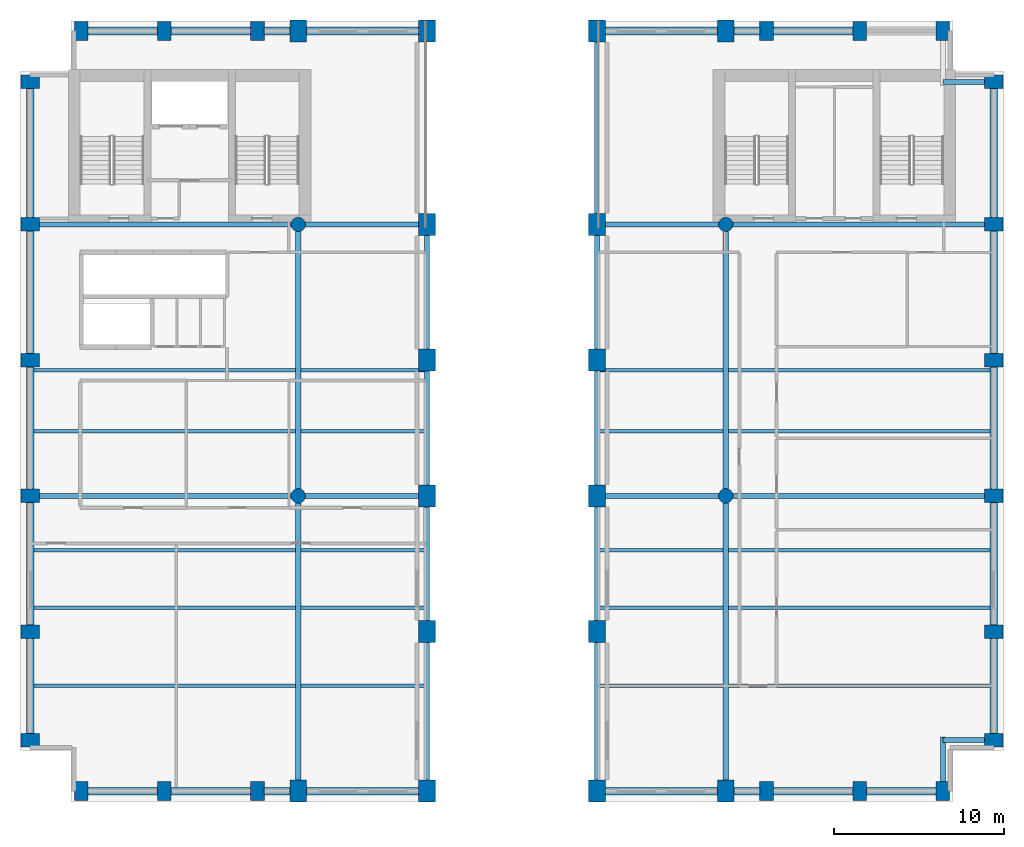
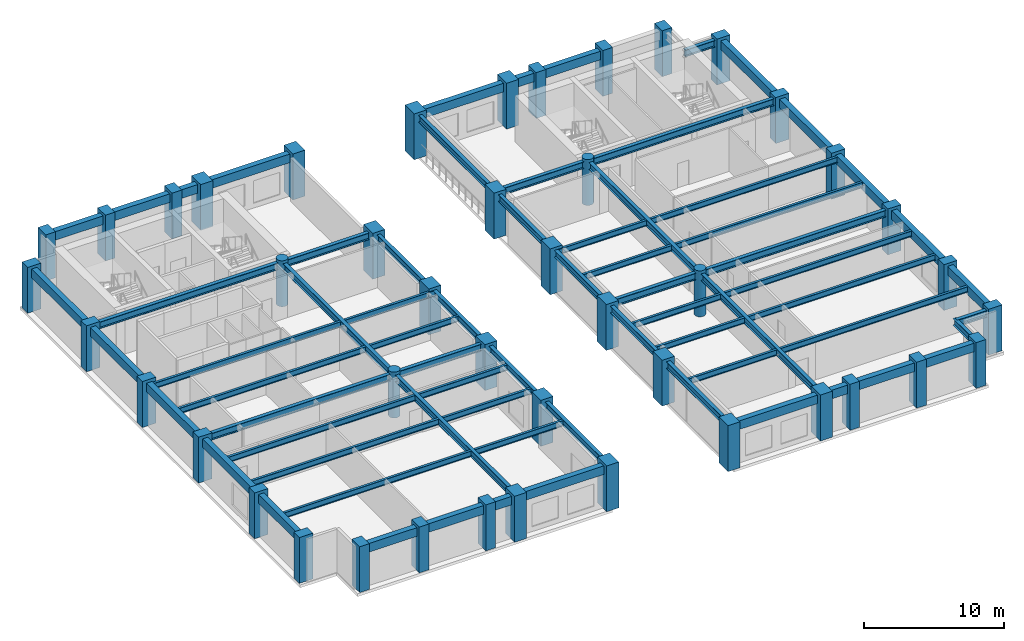
# One storey, part 1 of 8: 65 beams, 44 columns.
"""IFC4 building model written with IfcOpenShell, lengths in metres."""

from ifc_helpers import new_model, si_unit, direction, frame, origin, origin_2d, place, context, subcontext, project, spatial, rectangle, circle, i_section, extrude, material, material_profile, profile_set, type_object, element, save


model = new_model("IFC4")

# Units and contexts
model_context = context("Model", 3, precision=1e-05, world=origin(), true_north=direction((0.0, 1.0)))
body_context = subcontext(model_context, "Body", "Model", "MODEL_VIEW")
ifc_project = project(units=[si_unit("LENGTHUNIT", "METRE"), si_unit("AREAUNIT", "SQUARE_METRE"), si_unit("VOLUMEUNIT", "CUBIC_METRE"), si_unit("PLANEANGLEUNIT", "RADIAN"), si_unit("MASSUNIT", "GRAM", prefix="KILO")], contexts=[model_context])

# Site, building, storey
site_placement = place(None, origin())
site = spatial("IfcSite", under=ifc_project, at=site_placement, CompositionType="ELEMENT")
building_placement = place(site_placement, origin())
building = spatial("IfcBuilding", under=site, at=building_placement, Name="Sulina Concourse Tower", CompositionType="ELEMENT")
storey_placement = place(building_placement, frame((0.0, 0.0, 186.60009765625)))
storey = spatial("IfcBuildingStorey", under=building, at=storey_placement, Name="L45", CompositionType="ELEMENT", Elevation=186.60009765625)

# Columns
ifc_material_1 = material(Name="Precast concrete C60/75", Category="concrete")
ifc_material_profile_1 = material_profile(ifc_material_1, rectangle(XDim=0.800048828125, YDim=1.10009765625, at=origin_2d()), Name="PC 800x1100")
ifc_profile_set_1 = profile_set([ifc_material_profile_1], Name="Precast concrete C60/75")
column_type_1 = type_object("IfcColumnType", Name="Precast Tube Pier Zone 3 800x1100", PredefinedType="COLUMN", material=ifc_profile_set_1)
for number, where, z_axis, x_axis, name in (
    (1, (3.60009765625, 0.60009765625, 0.0), (0.0, 0.0, 1.0), (1.0, 0.0, 0.0), "L45 structural column TP-S-36"),
    (2, (3.60009765625, 45.39990234375, 0.0), (0.0, 0.0, 1.0), (1.0, 0.0, 0.0), "L45 structural column TP-N-36"),
    (3, (8.5, 0.60009765625, 0.0), (0.0, 0.0, 1.0), (1.0, 0.0, 0.0), "L45 structural column TP-S-85"),
    (4, (8.5, 45.39990234375, 0.0), (0.0, 0.0, 1.0), (1.0, 0.0, 0.0), "L45 structural column TP-N-85"),
    (5, (14.0, 0.60009765625, 0.0), (0.0, 0.0, 1.0), (1.0, 0.0, 0.0), "L45 structural column TP-S-140"),
    (6, (14.0, 45.39990234375, 0.0), (0.0, 0.0, 1.0), (1.0, 0.0, 0.0), "L45 structural column TP-N-140"),
    (7, (44.0, 0.60009765625, 0.0), (0.0, 0.0, 1.0), (1.0, 0.0, 0.0), "L45 structural column TP-S-440"),
    (8, (44.0, 45.39990234375, 0.0), (0.0, 0.0, 1.0), (1.0, 0.0, 0.0), "L45 structural column TP-N-440"),
    (9, (49.5, 0.60009765625, 0.0), (0.0, 0.0, 1.0), (1.0, 0.0, 0.0), "L45 structural column TP-S-495"),
    (10, (49.5, 45.39990234375, 0.0), (0.0, 0.0, 1.0), (1.0, 0.0, 0.0), "L45 structural column TP-N-495"),
    (11, (54.39990234375, 0.60009765625, 0.0), (0.0, 0.0, 1.0), (1.0, 0.0, 0.0), "L45 structural column TP-S-544"),
    (12, (54.39990234375, 45.39990234375, 0.0), (0.0, 0.0, 1.0), (1.0, 0.0, 0.0), "L45 structural column TP-N-544"),
    (13, (0.60009765625, 3.60009765625, 0.0), (0.0, 0.0, 1.0), (0.0, 1.0, 0.0), "L45 structural column TP-W-36"),
    (14, (57.39990234375, 3.60009765625, 0.0), (0.0, 0.0, 1.0), (0.0, 1.0, 0.0), "L45 structural column TP-E-36"),
    (15, (0.60009765625, 10.0, 0.0), (0.0, 0.0, 1.0), (0.0, 1.0, 0.0), "L45 structural column TP-W-100"),
    (16, (57.39990234375, 10.0, 0.0), (0.0, 0.0, 1.0), (0.0, 1.0, 0.0), "L45 structural column TP-E-100"),
    (17, (0.60009765625, 18.0, 0.0), (0.0, 0.0, 1.0), (0.0, 1.0, 0.0), "L45 structural column TP-W-180"),
    (18, (57.39990234375, 18.0, 0.0), (0.0, 0.0, 1.0), (0.0, 1.0, 0.0), "L45 structural column TP-E-180"),
    (19, (0.60009765625, 26.0, 0.0), (0.0, 0.0, 1.0), (0.0, 1.0, 0.0), "L45 structural column TP-W-260"),
    (20, (57.39990234375, 26.0, 0.0), (0.0, 0.0, 1.0), (0.0, 1.0, 0.0), "L45 structural column TP-E-260"),
    (21, (0.60009765625, 34.0, 0.0), (0.0, 0.0, 1.0), (0.0, 1.0, 0.0), "L45 structural column TP-W-340"),
    (22, (57.39990234375, 34.0, 0.0), (0.0, 0.0, 1.0), (0.0, 1.0, 0.0), "L45 structural column TP-E-340"),
    (23, (0.60009765625, 42.39990234375, 0.0), (0.0, 0.0, 1.0), (0.0, 1.0, 0.0), "L45 structural column TP-W-424"),
    (24, (57.39990234375, 42.39990234375, 0.0), (0.0, 0.0, 1.0), (0.0, 1.0, 0.0), "L45 structural column TP-E-424"),
):
    element("IfcColumn", number, at=place(storey_placement, frame(where, z_axis=z_axis, x_axis=x_axis)), inside=storey, type_object=column_type_1, Name=name, PredefinedType="COLUMN", context=body_context, shape_type="SweptSolid", body=[
        extrude(rectangle(XDim=0.800048828125, YDim=1.10009765625, at=origin_2d()), origin(), (0.0, 0.0, 1.0), 4.0),
    ])
ifc_material_2 = material(Name="Concrete C50/60", Category="concrete")
ifc_material_profile_2 = material_profile(ifc_material_2, circle(Radius=0.425048828125, at=origin_2d()), Name="RC D850")
ifc_profile_set_2 = profile_set([ifc_material_profile_2], Name="Concrete C50/60")
column_type_2 = type_object("IfcColumnType", Name="Upper Interior Circular Column D850", PredefinedType="COLUMN", material=ifc_profile_set_2)
for number, where, z_axis, x_axis, name in (
    (25, (16.39990234375, 18.0, 0.0), (0.0, 0.0, 1.0), (1.0, 0.0, 0.0), "L45 structural column IC-M-164"),
    (26, (16.39990234375, 34.0, 0.0), (0.0, 0.0, 1.0), (1.0, 0.0, 0.0), "L45 structural column IC-N-164"),
    (27, (41.60009765625, 18.0, 0.0), (0.0, 0.0, 1.0), (1.0, 0.0, 0.0), "L45 structural column IC-M-416"),
    (28, (41.60009765625, 34.0, 0.0), (0.0, 0.0, 1.0), (1.0, 0.0, 0.0), "L45 structural column IC-N-416"),
):
    element("IfcColumn", number, at=place(storey_placement, frame(where, z_axis=z_axis, x_axis=x_axis)), inside=storey, type_object=column_type_2, Name=name, PredefinedType="COLUMN", context=body_context, shape_type="SweptSolid", body=[
        extrude(circle(Radius=0.425048828125, at=origin_2d()), origin(), (0.0, 0.0, 1.0), 4.0),
    ])
ifc_material_3 = material(Name="Concrete C60/75", Category="concrete")
ifc_material_profile_3 = material_profile(ifc_material_3, rectangle(XDim=1.0, YDim=1.300048828125, at=origin_2d()), Name="RC 1000x1300")
ifc_profile_set_3 = profile_set([ifc_material_profile_3], Name="Concrete C60/75")
column_type_3 = type_object("IfcColumnType", Name="Upper Portal Column 1000x1300", PredefinedType="COLUMN", material=ifc_profile_set_3)
for number, where, z_axis, x_axis, name in (
    (29, (16.39990234375, 0.60009765625, 0.0), (0.0, 0.0, 1.0), (1.0, 0.0, 0.0), "L45 structural column TP-S-164"),
    (30, (16.39990234375, 45.39990234375, 0.0), (0.0, 0.0, 1.0), (1.0, 0.0, 0.0), "L45 structural column TP-N-164"),
    (31, (24.0, 0.60009765625, 0.0), (0.0, 0.0, 1.0), (1.0, 0.0, 0.0), "L45 structural column TP-S-240"),
    (32, (24.0, 45.39990234375, 0.0), (0.0, 0.0, 1.0), (1.0, 0.0, 0.0), "L45 structural column TP-N-240"),
    (33, (34.0, 0.60009765625, 0.0), (0.0, 0.0, 1.0), (1.0, 0.0, 0.0), "L45 structural column TP-S-340"),
    (34, (34.0, 45.39990234375, 0.0), (0.0, 0.0, 1.0), (1.0, 0.0, 0.0), "L45 structural column TP-N-340"),
    (35, (41.60009765625, 0.60009765625, 0.0), (0.0, 0.0, 1.0), (1.0, 0.0, 0.0), "L45 structural column TP-S-416"),
    (36, (41.60009765625, 45.39990234375, 0.0), (0.0, 0.0, 1.0), (1.0, 0.0, 0.0), "L45 structural column TP-N-416"),
    (37, (24.0, 10.0, 0.0), (0.0, 0.0, 1.0), (1.0, 0.0, 0.0), "L45 structural column UP-FW-10"),
    (38, (34.0, 10.0, 0.0), (0.0, 0.0, 1.0), (1.0, 0.0, 0.0), "L45 structural column UP-FE-10"),
    (39, (24.0, 18.0, 0.0), (0.0, 0.0, 1.0), (1.0, 0.0, 0.0), "L45 structural column UP-FW-18"),
    (40, (34.0, 18.0, 0.0), (0.0, 0.0, 1.0), (1.0, 0.0, 0.0), "L45 structural column UP-FE-18"),
    (41, (24.0, 26.0, 0.0), (0.0, 0.0, 1.0), (1.0, 0.0, 0.0), "L45 structural column UP-FW-26"),
    (42, (34.0, 26.0, 0.0), (0.0, 0.0, 1.0), (1.0, 0.0, 0.0), "L45 structural column UP-FE-26"),
    (43, (24.0, 34.0, 0.0), (0.0, 0.0, 1.0), (1.0, 0.0, 0.0), "L45 structural column UP-FW-34"),
    (44, (34.0, 34.0, 0.0), (0.0, 0.0, 1.0), (1.0, 0.0, 0.0), "L45 structural column UP-FE-34"),
):
    element("IfcColumn", number, at=place(storey_placement, frame(where, z_axis=z_axis, x_axis=x_axis)), inside=storey, type_object=column_type_3, Name=name, PredefinedType="COLUMN", context=body_context, shape_type="SweptSolid", body=[
        extrude(rectangle(XDim=1.0, YDim=1.300048828125, at=origin_2d()), origin(), (0.0, 0.0, 1.0), 4.0),
    ])

# Beams
ifc_material_4 = material(Name="Steel S355", Category="steel")
ifc_material_profile_4 = material_profile(ifc_material_4, i_section(OverallWidth=0.199951171875, OverallDepth=0.5, WebThickness=0.01025390625, FlangeThickness=0.01611328125, at=origin_2d()), Name="IPE 500")
ifc_profile_set_4 = profile_set([ifc_material_profile_4], Name="Steel S355")
beam_type_1 = type_object("IfcBeamType", Name="Composite Floor Joist IPE500", PredefinedType="JOIST", material=ifc_profile_set_4)
beam_1_placement = place(storey_placement, frame((0.824951171875, 6.800048828125, 3.5), z_axis=(1.0, 0.0, 0.0), x_axis=(0.0, 1.0, 0.0)))
element("IfcBeam", 45, at=beam_1_placement, inside=storey, type_object=beam_type_1, Name="FJ-J06-1-L45", PredefinedType="JOIST", context=body_context, shape_type="SweptSolid", body=[
    extrude(i_section(OverallWidth=0.199951171875, OverallDepth=0.5, WebThickness=0.01025390625, FlangeThickness=0.01611328125, at=origin_2d()), origin(), (0.0, 0.0, 1.0), 15.425048828125),
])
for number, where, z_axis, x_axis, name in (
    (46, (16.550048828125, 6.800048828125, 3.5), (1.0, 0.0, 0.0), (0.0, 1.0, 0.0), "FJ-J06-2-L45"),
    (47, (34.14990234375, 6.800048828125, 3.5), (1.0, 0.0, 0.0), (0.0, 1.0, 0.0), "FJ-J06-4-L45"),
):
    element("IfcBeam", number, at=place(storey_placement, frame(where, z_axis=z_axis, x_axis=x_axis)), inside=storey, type_object=beam_type_1, Name=name, PredefinedType="JOIST", context=body_context, shape_type="SweptSolid", body=[
        extrude(i_section(OverallWidth=0.199951171875, OverallDepth=0.5, WebThickness=0.01025390625, FlangeThickness=0.01611328125, at=origin_2d()), origin(), (0.0, 0.0, 1.0), 7.300048828125),
    ])
for number, where, z_axis, x_axis, name in (
    (48, (41.75, 6.800048828125, 3.5), (1.0, 0.0, 0.0), (0.0, 1.0, 0.0), "FJ-J06-5-L45"),
    (49, (0.824951171875, 11.39990234375, 3.5), (1.0, 0.0, 0.0), (0.0, 1.0, 0.0), "FJ-J11-1-L45"),
):
    element("IfcBeam", number, at=place(storey_placement, frame(where, z_axis=z_axis, x_axis=x_axis)), inside=storey, type_object=beam_type_1, Name=name, PredefinedType="JOIST", context=body_context, shape_type="SweptSolid", body=[
        extrude(i_section(OverallWidth=0.199951171875, OverallDepth=0.5, WebThickness=0.01025390625, FlangeThickness=0.01611328125, at=origin_2d()), origin(), (0.0, 0.0, 1.0), 15.425048828125),
    ])
for number, where, z_axis, x_axis, name in (
    (50, (16.550048828125, 11.39990234375, 3.5), (1.0, 0.0, 0.0), (0.0, 1.0, 0.0), "FJ-J11-2-L45"),
    (51, (34.14990234375, 11.39990234375, 3.5), (1.0, 0.0, 0.0), (0.0, 1.0, 0.0), "FJ-J11-4-L45"),
):
    element("IfcBeam", number, at=place(storey_placement, frame(where, z_axis=z_axis, x_axis=x_axis)), inside=storey, type_object=beam_type_1, Name=name, PredefinedType="JOIST", context=body_context, shape_type="SweptSolid", body=[
        extrude(i_section(OverallWidth=0.199951171875, OverallDepth=0.5, WebThickness=0.01025390625, FlangeThickness=0.01611328125, at=origin_2d()), origin(), (0.0, 0.0, 1.0), 7.300048828125),
    ])
for number, where, z_axis, x_axis, name in (
    (52, (41.75, 11.39990234375, 3.5), (1.0, 0.0, 0.0), (0.0, 1.0, 0.0), "FJ-J11-5-L45"),
    (53, (0.824951171875, 14.800048828125, 3.5), (1.0, 0.0, 0.0), (0.0, 1.0, 0.0), "FJ-J15-1-L45"),
):
    element("IfcBeam", number, at=place(storey_placement, frame(where, z_axis=z_axis, x_axis=x_axis)), inside=storey, type_object=beam_type_1, Name=name, PredefinedType="JOIST", context=body_context, shape_type="SweptSolid", body=[
        extrude(i_section(OverallWidth=0.199951171875, OverallDepth=0.5, WebThickness=0.01025390625, FlangeThickness=0.01611328125, at=origin_2d()), origin(), (0.0, 0.0, 1.0), 15.425048828125),
    ])
for number, where, z_axis, x_axis, name in (
    (54, (16.550048828125, 14.800048828125, 3.5), (1.0, 0.0, 0.0), (0.0, 1.0, 0.0), "FJ-J15-2-L45"),
    (55, (34.14990234375, 14.800048828125, 3.5), (1.0, 0.0, 0.0), (0.0, 1.0, 0.0), "FJ-J15-4-L45"),
):
    element("IfcBeam", number, at=place(storey_placement, frame(where, z_axis=z_axis, x_axis=x_axis)), inside=storey, type_object=beam_type_1, Name=name, PredefinedType="JOIST", context=body_context, shape_type="SweptSolid", body=[
        extrude(i_section(OverallWidth=0.199951171875, OverallDepth=0.5, WebThickness=0.01025390625, FlangeThickness=0.01611328125, at=origin_2d()), origin(), (0.0, 0.0, 1.0), 7.300048828125),
    ])
for number, where, z_axis, x_axis, name in (
    (56, (41.75, 14.800048828125, 3.5), (1.0, 0.0, 0.0), (0.0, 1.0, 0.0), "FJ-J15-5-L45"),
    (57, (0.824951171875, 21.800048828125, 3.5), (1.0, 0.0, 0.0), (0.0, 1.0, 0.0), "FJ-J22-1-L45"),
):
    element("IfcBeam", number, at=place(storey_placement, frame(where, z_axis=z_axis, x_axis=x_axis)), inside=storey, type_object=beam_type_1, Name=name, PredefinedType="JOIST", context=body_context, shape_type="SweptSolid", body=[
        extrude(i_section(OverallWidth=0.199951171875, OverallDepth=0.5, WebThickness=0.01025390625, FlangeThickness=0.01611328125, at=origin_2d()), origin(), (0.0, 0.0, 1.0), 15.425048828125),
    ])
for number, where, z_axis, x_axis, name in (
    (58, (16.550048828125, 21.800048828125, 3.5), (1.0, 0.0, 0.0), (0.0, 1.0, 0.0), "FJ-J22-2-L45"),
    (59, (34.14990234375, 21.800048828125, 3.5), (1.0, 0.0, 0.0), (0.0, 1.0, 0.0), "FJ-J22-4-L45"),
):
    element("IfcBeam", number, at=place(storey_placement, frame(where, z_axis=z_axis, x_axis=x_axis)), inside=storey, type_object=beam_type_1, Name=name, PredefinedType="JOIST", context=body_context, shape_type="SweptSolid", body=[
        extrude(i_section(OverallWidth=0.199951171875, OverallDepth=0.5, WebThickness=0.01025390625, FlangeThickness=0.01611328125, at=origin_2d()), origin(), (0.0, 0.0, 1.0), 7.300048828125),
    ])
for number, where, z_axis, x_axis, name in (
    (60, (41.75, 21.800048828125, 3.5), (1.0, 0.0, 0.0), (0.0, 1.0, 0.0), "FJ-J22-5-L45"),
    (61, (0.824951171875, 25.39990234375, 3.5), (1.0, 0.0, 0.0), (0.0, 1.0, 0.0), "FJ-J25-1-L45"),
):
    element("IfcBeam", number, at=place(storey_placement, frame(where, z_axis=z_axis, x_axis=x_axis)), inside=storey, type_object=beam_type_1, Name=name, PredefinedType="JOIST", context=body_context, shape_type="SweptSolid", body=[
        extrude(i_section(OverallWidth=0.199951171875, OverallDepth=0.5, WebThickness=0.01025390625, FlangeThickness=0.01611328125, at=origin_2d()), origin(), (0.0, 0.0, 1.0), 15.425048828125),
    ])
for number, where, z_axis, x_axis, name in (
    (62, (16.550048828125, 25.39990234375, 3.5), (1.0, 0.0, 0.0), (0.0, 1.0, 0.0), "FJ-J25-2-L45"),
    (63, (34.14990234375, 25.39990234375, 3.5), (1.0, 0.0, 0.0), (0.0, 1.0, 0.0), "FJ-J25-4-L45"),
):
    element("IfcBeam", number, at=place(storey_placement, frame(where, z_axis=z_axis, x_axis=x_axis)), inside=storey, type_object=beam_type_1, Name=name, PredefinedType="JOIST", context=body_context, shape_type="SweptSolid", body=[
        extrude(i_section(OverallWidth=0.199951171875, OverallDepth=0.5, WebThickness=0.01025390625, FlangeThickness=0.01611328125, at=origin_2d()), origin(), (0.0, 0.0, 1.0), 7.300048828125),
    ])
beam_2_placement = place(storey_placement, frame((41.75, 25.39990234375, 3.5), z_axis=(1.0, 0.0, 0.0), x_axis=(0.0, 1.0, 0.0)))
element("IfcBeam", 64, at=beam_2_placement, inside=storey, type_object=beam_type_1, Name="FJ-J25-5-L45", PredefinedType="JOIST", context=body_context, shape_type="SweptSolid", body=[
    extrude(i_section(OverallWidth=0.199951171875, OverallDepth=0.5, WebThickness=0.01025390625, FlangeThickness=0.01611328125, at=origin_2d()), origin(), (0.0, 0.0, 1.0), 15.425048828125),
])
ifc_material_5 = material(Name="Steel S355", Category="steel")
ifc_material_profile_5 = material_profile(ifc_material_5, i_section(OverallWidth=0.300048828125, OverallDepth=0.60009765625, WebThickness=0.015380859375, FlangeThickness=0.030029296875, at=origin_2d()), Name="HE 600 B")
ifc_profile_set_5 = profile_set([ifc_material_profile_5], Name="Steel S355")
beam_type_2 = type_object("IfcBeamType", Name="Floor Primary Girder Zone 3 HE600B", PredefinedType="BEAM", material=ifc_profile_set_5)
for number, where, z_axis, x_axis, name in (
    (65, (54.39990234375, 3.60009765625, 3.449951171875), (1.0, 0.0, 0.0), (0.0, 1.0, 0.0), "TIE-SE-L45"),
    (66, (54.39990234375, 42.39990234375, 3.449951171875), (1.0, 0.0, 0.0), (0.0, 1.0, 0.0), "TIE-NE-L45"),
):
    element("IfcBeam", number, at=place(storey_placement, frame(where, z_axis=z_axis, x_axis=x_axis)), inside=storey, type_object=beam_type_2, Name=name, PredefinedType="BEAM", context=body_context, shape_type="SweptSolid", body=[
        extrude(i_section(OverallWidth=0.300048828125, OverallDepth=0.60009765625, WebThickness=0.015380859375, FlangeThickness=0.030029296875, at=origin_2d()), origin(), (0.0, 0.0, 1.0), 2.6201171875),
    ])
beam_3_placement = place(storey_placement, frame((54.39990234375, 0.97998046875, 3.449951171875), z_axis=(0.0, 1.0, 0.0), x_axis=(-1.0, 0.0, 0.0)))
element("IfcBeam", 67, at=beam_3_placement, inside=storey, type_object=beam_type_2, Name="TIE-SES-L45", PredefinedType="BEAM", context=body_context, shape_type="SweptSolid", body=[
    extrude(i_section(OverallWidth=0.300048828125, OverallDepth=0.60009765625, WebThickness=0.015380859375, FlangeThickness=0.030029296875, at=origin_2d()), origin(), (0.0, 0.0, 1.0), 2.820068359375),
])
beam_4_placement = place(storey_placement, frame((0.97998046875, 18.0, 3.449951171875), z_axis=(1.0, 0.0, 0.0), x_axis=(0.0, 1.0, 0.0)))
element("IfcBeam", 68, at=beam_4_placement, inside=storey, type_object=beam_type_2, Name="FG-EW1-L45", PredefinedType="BEAM", context=body_context, shape_type="SweptSolid", body=[
    extrude(i_section(OverallWidth=0.300048828125, OverallDepth=0.60009765625, WebThickness=0.015380859375, FlangeThickness=0.030029296875, at=origin_2d()), origin(), (0.0, 0.0, 1.0), 15.01513671875),
])
for number, where, z_axis, x_axis, name in (
    (69, (16.804931640625, 18.0, 3.449951171875), (1.0, 0.0, 0.0), (0.0, 1.0, 0.0), "FG-EW2-L45"),
    (70, (34.47998046875, 18.0, 3.449951171875), (1.0, 0.0, 0.0), (0.0, 1.0, 0.0), "FG-EW4-L45"),
):
    element("IfcBeam", number, at=place(storey_placement, frame(where, z_axis=z_axis, x_axis=x_axis)), inside=storey, type_object=beam_type_2, Name=name, PredefinedType="BEAM", context=body_context, shape_type="SweptSolid", body=[
        extrude(i_section(OverallWidth=0.300048828125, OverallDepth=0.60009765625, WebThickness=0.015380859375, FlangeThickness=0.030029296875, at=origin_2d()), origin(), (0.0, 0.0, 1.0), 6.715087890625),
    ])
for number, where, z_axis, x_axis, name in (
    (71, (42.0048828125, 18.0, 3.449951171875), (1.0, 0.0, 0.0), (0.0, 1.0, 0.0), "FG-EW5-L45"),
    (72, (0.97998046875, 34.0, 3.449951171875), (1.0, 0.0, 0.0), (0.0, 1.0, 0.0), "FG-EWN1-L45"),
):
    element("IfcBeam", number, at=place(storey_placement, frame(where, z_axis=z_axis, x_axis=x_axis)), inside=storey, type_object=beam_type_2, Name=name, PredefinedType="BEAM", context=body_context, shape_type="SweptSolid", body=[
        extrude(i_section(OverallWidth=0.300048828125, OverallDepth=0.60009765625, WebThickness=0.015380859375, FlangeThickness=0.030029296875, at=origin_2d()), origin(), (0.0, 0.0, 1.0), 15.01513671875),
    ])
for number, where, z_axis, x_axis, name in (
    (73, (16.804931640625, 34.0, 3.449951171875), (1.0, 0.0, 0.0), (0.0, 1.0, 0.0), "FG-EWN2-L45"),
    (74, (34.47998046875, 34.0, 3.449951171875), (1.0, 0.0, 0.0), (0.0, 1.0, 0.0), "FG-EWN4-L45"),
):
    element("IfcBeam", number, at=place(storey_placement, frame(where, z_axis=z_axis, x_axis=x_axis)), inside=storey, type_object=beam_type_2, Name=name, PredefinedType="BEAM", context=body_context, shape_type="SweptSolid", body=[
        extrude(i_section(OverallWidth=0.300048828125, OverallDepth=0.60009765625, WebThickness=0.015380859375, FlangeThickness=0.030029296875, at=origin_2d()), origin(), (0.0, 0.0, 1.0), 6.715087890625),
    ])
beam_5_placement = place(storey_placement, frame((42.0048828125, 34.0, 3.449951171875), z_axis=(1.0, 0.0, 0.0), x_axis=(0.0, 1.0, 0.0)))
element("IfcBeam", 75, at=beam_5_placement, inside=storey, type_object=beam_type_2, Name="FG-EWN5-L45", PredefinedType="BEAM", context=body_context, shape_type="SweptSolid", body=[
    extrude(i_section(OverallWidth=0.300048828125, OverallDepth=0.60009765625, WebThickness=0.015380859375, FlangeThickness=0.030029296875, at=origin_2d()), origin(), (0.0, 0.0, 1.0), 15.01513671875),
])
beam_6_placement = place(storey_placement, frame((16.39990234375, 1.080078125, 3.449951171875), z_axis=(0.0, 1.0, 0.0), x_axis=(-1.0, 0.0, 0.0)))
element("IfcBeam", 76, at=beam_6_placement, inside=storey, type_object=beam_type_2, Name="FG-NSA-16-L45", PredefinedType="BEAM", context=body_context, shape_type="SweptSolid", body=[
    extrude(i_section(OverallWidth=0.300048828125, OverallDepth=0.60009765625, WebThickness=0.015380859375, FlangeThickness=0.030029296875, at=origin_2d()), origin(), (0.0, 0.0, 1.0), 16.514892578125),
])
beam_7_placement = place(storey_placement, frame((16.39990234375, 18.405029296875, 3.449951171875), z_axis=(0.0, 1.0, 0.0), x_axis=(-1.0, 0.0, 0.0)))
element("IfcBeam", 77, at=beam_7_placement, inside=storey, type_object=beam_type_2, Name="FG-NSB-16-L45", PredefinedType="BEAM", context=body_context, shape_type="SweptSolid", body=[
    extrude(i_section(OverallWidth=0.300048828125, OverallDepth=0.60009765625, WebThickness=0.015380859375, FlangeThickness=0.030029296875, at=origin_2d()), origin(), (0.0, 0.0, 1.0), 15.18994140625),
])
beam_8_placement = place(storey_placement, frame((24.0, 1.080078125, 3.449951171875), z_axis=(0.0, 1.0, 0.0), x_axis=(-1.0, 0.0, 0.0)))
element("IfcBeam", 78, at=beam_8_placement, inside=storey, type_object=beam_type_2, Name="FG-NSA-24-L45", PredefinedType="BEAM", context=body_context, shape_type="SweptSolid", body=[
    extrude(i_section(OverallWidth=0.300048828125, OverallDepth=0.60009765625, WebThickness=0.015380859375, FlangeThickness=0.030029296875, at=origin_2d()), origin(), (0.0, 0.0, 1.0), 16.43994140625),
])
beam_9_placement = place(storey_placement, frame((24.0, 18.47998046875, 3.449951171875), z_axis=(0.0, 1.0, 0.0), x_axis=(-1.0, 0.0, 0.0)))
element("IfcBeam", 79, at=beam_9_placement, inside=storey, type_object=beam_type_2, Name="FG-NSB-24-L45", PredefinedType="BEAM", context=body_context, shape_type="SweptSolid", body=[
    extrude(i_section(OverallWidth=0.300048828125, OverallDepth=0.60009765625, WebThickness=0.015380859375, FlangeThickness=0.030029296875, at=origin_2d()), origin(), (0.0, 0.0, 1.0), 15.0400390625),
])
beam_10_placement = place(storey_placement, frame((34.0, 1.080078125, 3.449951171875), z_axis=(0.0, 1.0, 0.0), x_axis=(-1.0, 0.0, 0.0)))
element("IfcBeam", 80, at=beam_10_placement, inside=storey, type_object=beam_type_2, Name="FG-NSA-34-L45", PredefinedType="BEAM", context=body_context, shape_type="SweptSolid", body=[
    extrude(i_section(OverallWidth=0.300048828125, OverallDepth=0.60009765625, WebThickness=0.015380859375, FlangeThickness=0.030029296875, at=origin_2d()), origin(), (0.0, 0.0, 1.0), 16.43994140625),
])
beam_11_placement = place(storey_placement, frame((34.0, 18.47998046875, 3.449951171875), z_axis=(0.0, 1.0, 0.0), x_axis=(-1.0, 0.0, 0.0)))
element("IfcBeam", 81, at=beam_11_placement, inside=storey, type_object=beam_type_2, Name="FG-NSB-34-L45", PredefinedType="BEAM", context=body_context, shape_type="SweptSolid", body=[
    extrude(i_section(OverallWidth=0.300048828125, OverallDepth=0.60009765625, WebThickness=0.015380859375, FlangeThickness=0.030029296875, at=origin_2d()), origin(), (0.0, 0.0, 1.0), 15.0400390625),
])
beam_12_placement = place(storey_placement, frame((34.0, 34.47998046875, 3.449951171875), z_axis=(0.0, 1.0, 0.0), x_axis=(-1.0, 0.0, 0.0)))
element("IfcBeam", 82, at=beam_12_placement, inside=storey, type_object=beam_type_2, Name="FG-NSC-34-L45", PredefinedType="BEAM", context=body_context, shape_type="SweptSolid", body=[
    extrude(i_section(OverallWidth=0.300048828125, OverallDepth=0.60009765625, WebThickness=0.015380859375, FlangeThickness=0.030029296875, at=origin_2d()), origin(), (0.0, 0.0, 1.0), 10.43994140625),
])
beam_13_placement = place(storey_placement, frame((41.60009765625, 1.080078125, 3.449951171875), z_axis=(0.0, 1.0, 0.0), x_axis=(-1.0, 0.0, 0.0)))
element("IfcBeam", 83, at=beam_13_placement, inside=storey, type_object=beam_type_2, Name="FG-NSA-41-L45", PredefinedType="BEAM", context=body_context, shape_type="SweptSolid", body=[
    extrude(i_section(OverallWidth=0.300048828125, OverallDepth=0.60009765625, WebThickness=0.015380859375, FlangeThickness=0.030029296875, at=origin_2d()), origin(), (0.0, 0.0, 1.0), 16.514892578125),
])
beam_14_placement = place(storey_placement, frame((41.60009765625, 18.405029296875, 3.449951171875), z_axis=(0.0, 1.0, 0.0), x_axis=(-1.0, 0.0, 0.0)))
element("IfcBeam", 84, at=beam_14_placement, inside=storey, type_object=beam_type_2, Name="FG-NSB-41-L45", PredefinedType="BEAM", context=body_context, shape_type="SweptSolid", body=[
    extrude(i_section(OverallWidth=0.300048828125, OverallDepth=0.60009765625, WebThickness=0.015380859375, FlangeThickness=0.030029296875, at=origin_2d()), origin(), (0.0, 0.0, 1.0), 15.18994140625),
])
ifc_material_6 = material(Name="Precast concrete C50/60", Category="concrete")
ifc_material_profile_6 = material_profile(ifc_material_6, rectangle(XDim=0.449951171875, YDim=0.75, at=origin_2d()), Name="RC 450x750")
ifc_profile_set_6 = profile_set([ifc_material_profile_6], Name="Precast concrete C50/60")
beam_type_3 = type_object("IfcBeamType", Name="Upper Precast Spandrel Edge Beam 450x750", PredefinedType="BEAM", material=ifc_profile_set_6)
beam_15_placement = place(storey_placement, frame((3.97998046875, 0.60009765625, 3.375), z_axis=(1.0, 0.0, 0.0), x_axis=(0.0, 1.0, 0.0)))
element("IfcBeam", 85, at=beam_15_placement, inside=storey, type_object=beam_type_3, Name="SP-S1-L45", PredefinedType="BEAM", context=body_context, shape_type="SweptSolid", body=[
    extrude(rectangle(XDim=0.449951171875, YDim=0.75, at=origin_2d()), origin(), (0.0, 0.0, 1.0), 4.14013671875),
])
beam_16_placement = place(storey_placement, frame((8.8798828125, 0.60009765625, 3.375), z_axis=(1.0, 0.0, 0.0), x_axis=(0.0, 1.0, 0.0)))
element("IfcBeam", 86, at=beam_16_placement, inside=storey, type_object=beam_type_3, Name="SP-S2-L45", PredefinedType="BEAM", context=body_context, shape_type="SweptSolid", body=[
    extrude(rectangle(XDim=0.449951171875, YDim=0.75, at=origin_2d()), origin(), (0.0, 0.0, 1.0), 4.740234375),
])
beam_17_placement = place(storey_placement, frame((14.3798828125, 0.60009765625, 3.375), z_axis=(1.0, 0.0, 0.0), x_axis=(0.0, 1.0, 0.0)))
element("IfcBeam", 87, at=beam_17_placement, inside=storey, type_object=beam_type_3, Name="SP-S3-L45", PredefinedType="BEAM", context=body_context, shape_type="SweptSolid", body=[
    extrude(rectangle(XDim=0.449951171875, YDim=0.75, at=origin_2d()), origin(), (0.0, 0.0, 1.0), 1.5400390625),
])
for number, where, z_axis, x_axis, name in (
    (88, (16.8798828125, 0.60009765625, 3.375), (1.0, 0.0, 0.0), (0.0, 1.0, 0.0), "SP-S4-L45"),
    (89, (34.47998046875, 0.60009765625, 3.375), (1.0, 0.0, 0.0), (0.0, 1.0, 0.0), "SP-S6-L45"),
):
    element("IfcBeam", number, at=place(storey_placement, frame(where, z_axis=z_axis, x_axis=x_axis)), inside=storey, type_object=beam_type_3, Name=name, PredefinedType="BEAM", context=body_context, shape_type="SweptSolid", body=[
        extrude(rectangle(XDim=0.449951171875, YDim=0.75, at=origin_2d()), origin(), (0.0, 0.0, 1.0), 6.64013671875),
    ])
beam_18_placement = place(storey_placement, frame((42.080078125, 0.60009765625, 3.375), z_axis=(1.0, 0.0, 0.0), x_axis=(0.0, 1.0, 0.0)))
element("IfcBeam", 90, at=beam_18_placement, inside=storey, type_object=beam_type_3, Name="SP-S7-L45", PredefinedType="BEAM", context=body_context, shape_type="SweptSolid", body=[
    extrude(rectangle(XDim=0.449951171875, YDim=0.75, at=origin_2d()), origin(), (0.0, 0.0, 1.0), 1.5400390625),
])
beam_19_placement = place(storey_placement, frame((44.3798828125, 0.60009765625, 3.375), z_axis=(1.0, 0.0, 0.0), x_axis=(0.0, 1.0, 0.0)))
element("IfcBeam", 91, at=beam_19_placement, inside=storey, type_object=beam_type_3, Name="SP-S8-L45", PredefinedType="BEAM", context=body_context, shape_type="SweptSolid", body=[
    extrude(rectangle(XDim=0.449951171875, YDim=0.75, at=origin_2d()), origin(), (0.0, 0.0, 1.0), 4.740234375),
])
for number, where, z_axis, x_axis, name in (
    (92, (49.8798828125, 0.60009765625, 3.375), (1.0, 0.0, 0.0), (0.0, 1.0, 0.0), "SP-S9-L45"),
    (93, (3.97998046875, 45.39990234375, 3.375), (1.0, 0.0, 0.0), (0.0, 1.0, 0.0), "SP-N1-L45"),
):
    element("IfcBeam", number, at=place(storey_placement, frame(where, z_axis=z_axis, x_axis=x_axis)), inside=storey, type_object=beam_type_3, Name=name, PredefinedType="BEAM", context=body_context, shape_type="SweptSolid", body=[
        extrude(rectangle(XDim=0.449951171875, YDim=0.75, at=origin_2d()), origin(), (0.0, 0.0, 1.0), 4.14013671875),
    ])
beam_20_placement = place(storey_placement, frame((8.8798828125, 45.39990234375, 3.375), z_axis=(1.0, 0.0, 0.0), x_axis=(0.0, 1.0, 0.0)))
element("IfcBeam", 94, at=beam_20_placement, inside=storey, type_object=beam_type_3, Name="SP-N2-L45", PredefinedType="BEAM", context=body_context, shape_type="SweptSolid", body=[
    extrude(rectangle(XDim=0.449951171875, YDim=0.75, at=origin_2d()), origin(), (0.0, 0.0, 1.0), 4.740234375),
])
beam_21_placement = place(storey_placement, frame((14.3798828125, 45.39990234375, 3.375), z_axis=(1.0, 0.0, 0.0), x_axis=(0.0, 1.0, 0.0)))
element("IfcBeam", 95, at=beam_21_placement, inside=storey, type_object=beam_type_3, Name="SP-N3-L45", PredefinedType="BEAM", context=body_context, shape_type="SweptSolid", body=[
    extrude(rectangle(XDim=0.449951171875, YDim=0.75, at=origin_2d()), origin(), (0.0, 0.0, 1.0), 1.5400390625),
])
for number, where, z_axis, x_axis, name in (
    (96, (16.8798828125, 45.39990234375, 3.375), (1.0, 0.0, 0.0), (0.0, 1.0, 0.0), "SP-N4-L45"),
    (97, (34.47998046875, 45.39990234375, 3.375), (1.0, 0.0, 0.0), (0.0, 1.0, 0.0), "SP-N6-L45"),
):
    element("IfcBeam", number, at=place(storey_placement, frame(where, z_axis=z_axis, x_axis=x_axis)), inside=storey, type_object=beam_type_3, Name=name, PredefinedType="BEAM", context=body_context, shape_type="SweptSolid", body=[
        extrude(rectangle(XDim=0.449951171875, YDim=0.75, at=origin_2d()), origin(), (0.0, 0.0, 1.0), 6.64013671875),
    ])
beam_22_placement = place(storey_placement, frame((42.080078125, 45.39990234375, 3.375), z_axis=(1.0, 0.0, 0.0), x_axis=(0.0, 1.0, 0.0)))
element("IfcBeam", 98, at=beam_22_placement, inside=storey, type_object=beam_type_3, Name="SP-N7-L45", PredefinedType="BEAM", context=body_context, shape_type="SweptSolid", body=[
    extrude(rectangle(XDim=0.449951171875, YDim=0.75, at=origin_2d()), origin(), (0.0, 0.0, 1.0), 1.5400390625),
])
beam_23_placement = place(storey_placement, frame((44.3798828125, 45.39990234375, 3.375), z_axis=(1.0, 0.0, 0.0), x_axis=(0.0, 1.0, 0.0)))
element("IfcBeam", 99, at=beam_23_placement, inside=storey, type_object=beam_type_3, Name="SP-N8-L45", PredefinedType="BEAM", context=body_context, shape_type="SweptSolid", body=[
    extrude(rectangle(XDim=0.449951171875, YDim=0.75, at=origin_2d()), origin(), (0.0, 0.0, 1.0), 4.740234375),
])
beam_24_placement = place(storey_placement, frame((0.60009765625, 3.97998046875, 3.375), z_axis=(0.0, 1.0, 0.0), x_axis=(-1.0, 0.0, 0.0)))
element("IfcBeam", 100, at=beam_24_placement, inside=storey, type_object=beam_type_3, Name="SP-W1-L45", PredefinedType="BEAM", context=body_context, shape_type="SweptSolid", body=[
    extrude(rectangle(XDim=0.449951171875, YDim=0.75, at=origin_2d()), origin(), (0.0, 0.0, 1.0), 5.64013671875),
])
for number, where, z_axis, x_axis, name in (
    (101, (0.60009765625, 10.3798828125, 3.375), (0.0, 1.0, 0.0), (-1.0, 0.0, 0.0), "SP-W2-L45"),
    (102, (0.60009765625, 18.3798828125, 3.375), (0.0, 1.0, 0.0), (-1.0, 0.0, 0.0), "SP-W3-L45"),
    (103, (0.60009765625, 26.3798828125, 3.375), (0.0, 1.0, 0.0), (-1.0, 0.0, 0.0), "SP-W4-L45"),
):
    element("IfcBeam", number, at=place(storey_placement, frame(where, z_axis=z_axis, x_axis=x_axis)), inside=storey, type_object=beam_type_3, Name=name, PredefinedType="BEAM", context=body_context, shape_type="SweptSolid", body=[
        extrude(rectangle(XDim=0.449951171875, YDim=0.75, at=origin_2d()), origin(), (0.0, 0.0, 1.0), 7.240234375),
    ])
beam_25_placement = place(storey_placement, frame((0.60009765625, 34.3798828125, 3.375), z_axis=(0.0, 1.0, 0.0), x_axis=(-1.0, 0.0, 0.0)))
element("IfcBeam", 104, at=beam_25_placement, inside=storey, type_object=beam_type_3, Name="SP-W5-L45", PredefinedType="BEAM", context=body_context, shape_type="SweptSolid", body=[
    extrude(rectangle(XDim=0.449951171875, YDim=0.75, at=origin_2d()), origin(), (0.0, 0.0, 1.0), 7.64013671875),
])
beam_26_placement = place(storey_placement, frame((57.39990234375, 3.97998046875, 3.375), z_axis=(0.0, 1.0, 0.0), x_axis=(-1.0, 0.0, 0.0)))
element("IfcBeam", 105, at=beam_26_placement, inside=storey, type_object=beam_type_3, Name="SP-E1-L45", PredefinedType="BEAM", context=body_context, shape_type="SweptSolid", body=[
    extrude(rectangle(XDim=0.449951171875, YDim=0.75, at=origin_2d()), origin(), (0.0, 0.0, 1.0), 5.64013671875),
])
for number, where, z_axis, x_axis, name in (
    (106, (57.39990234375, 10.3798828125, 3.375), (0.0, 1.0, 0.0), (-1.0, 0.0, 0.0), "SP-E2-L45"),
    (107, (57.39990234375, 18.3798828125, 3.375), (0.0, 1.0, 0.0), (-1.0, 0.0, 0.0), "SP-E3-L45"),
    (108, (57.39990234375, 26.3798828125, 3.375), (0.0, 1.0, 0.0), (-1.0, 0.0, 0.0), "SP-E4-L45"),
):
    element("IfcBeam", number, at=place(storey_placement, frame(where, z_axis=z_axis, x_axis=x_axis)), inside=storey, type_object=beam_type_3, Name=name, PredefinedType="BEAM", context=body_context, shape_type="SweptSolid", body=[
        extrude(rectangle(XDim=0.449951171875, YDim=0.75, at=origin_2d()), origin(), (0.0, 0.0, 1.0), 7.240234375),
    ])
beam_27_placement = place(storey_placement, frame((57.39990234375, 34.3798828125, 3.375), z_axis=(0.0, 1.0, 0.0), x_axis=(-1.0, 0.0, 0.0)))
element("IfcBeam", 109, at=beam_27_placement, inside=storey, type_object=beam_type_3, Name="SP-E5-L45", PredefinedType="BEAM", context=body_context, shape_type="SweptSolid", body=[
    extrude(rectangle(XDim=0.449951171875, YDim=0.75, at=origin_2d()), origin(), (0.0, 0.0, 1.0), 7.64013671875),
])

save(model, "model.ifc")
